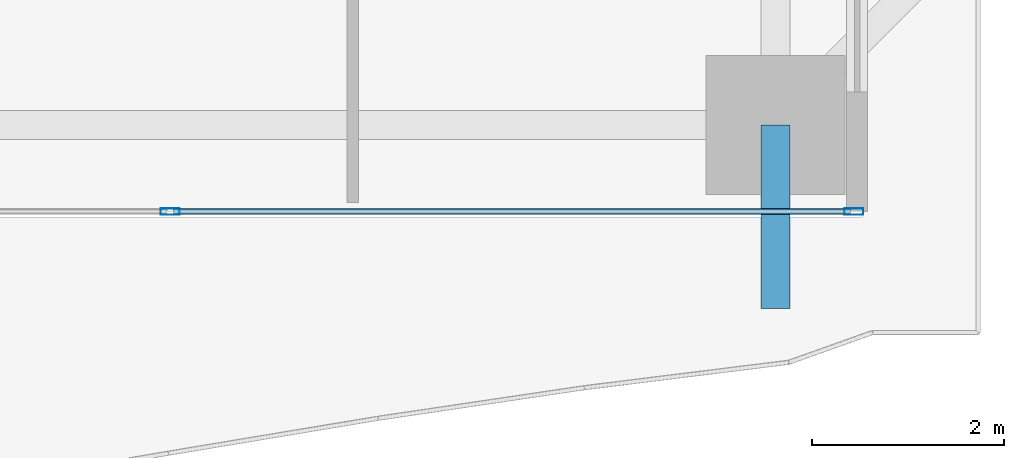
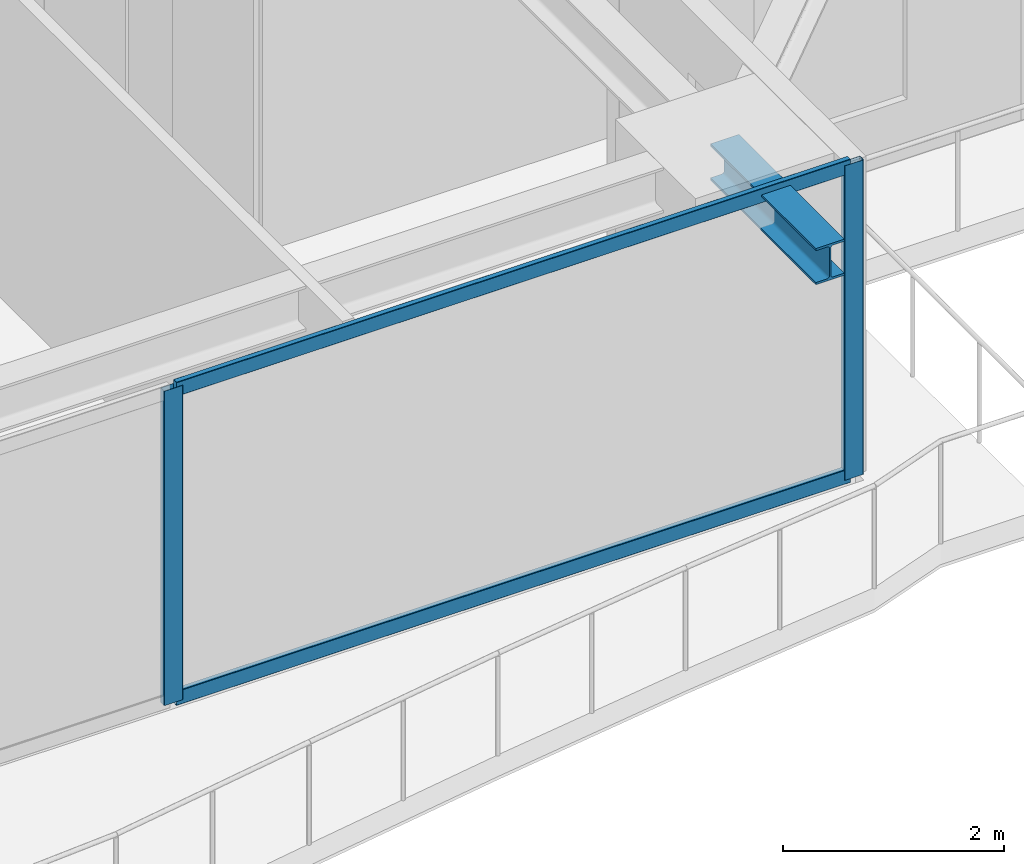
# One storey, part 11 of 39: 4 members, 1 beam, 1 element without a shape of its own.
"""IFC4 building model written with IfcOpenShell, lengths in metres."""

import ifcopenshell
import ifcopenshell.guid

model = None  # the IFC model being written
_history = None  # IfcOwnerHistory: only IFC2X3 demands one
_inside = {}  # id of a spatial element -> (the spatial element, [elements in it])
_under = {}  # id of a project, library or spatial element -> (it, [spatial elements below it])
_declared = {}  # id of a project -> (the project, [libraries it declares])
_typed = {}  # id of a type object -> (the type object, [elements of that type])
_made_of = {}  # id of a material, layer set ... -> (it, [elements and type objects made of it])


def new_model(schema):
    """Start an empty IFC model of exactly this schema.

    Asked for "IFC4X3", IfcOpenShell would pick the latest addendum, in which some entities
    have other attributes; the version numbers below select the first issue.
    IFC2X3 requires an IfcOwnerHistory on every rooted entity: one is made here for all.
    """
    global model, _history
    if schema == "IFC4X3":
        model = ifcopenshell.file(schema_version=(4, 3, 0, 0))
    else:
        model = ifcopenshell.file(schema=schema)
    _inside.clear()
    _under.clear()
    _declared.clear()
    _typed.clear()
    _made_of.clear()
    _history = None
    if model.schema == "IFC2X3":
        org = make("IfcOrganization", Name="unknown")
        user = make(
            "IfcPersonAndOrganization",
            ThePerson=make("IfcPerson", FamilyName="unknown"),
            TheOrganization=org,
        )
        app = make(
            "IfcApplication",
            ApplicationDeveloper=org,
            Version="unknown",
            ApplicationFullName="unknown",
            ApplicationIdentifier="unknown",
        )
        _history = make(
            "IfcOwnerHistory",
            OwningUser=user,
            OwningApplication=app,
            ChangeAction="ADDED",
            CreationDate=0,
        )
    return model


def make(cls, **values):
    """One entity of the class cls with the attributes given. An attribute that is None is left unset."""
    return model.create_entity(
        cls, **{name: value for name, value in values.items() if value is not None}
    )


def rooted(cls, **values):
    """An entity with a GlobalId (a new one), such as an element, a storey or a relation."""
    return make(cls, GlobalId=ifcopenshell.guid.new(), OwnerHistory=_history, **values)


def si_unit(unit_type, name, prefix=None):
    """IfcSIUnit, for example si_unit("LENGTHUNIT", "METRE", prefix="MILLI")."""
    return make("IfcSIUnit", UnitType=unit_type, Prefix=prefix, Name=name)


def assignment(units):
    """IfcUnitAssignment: the units of a project."""
    return None if units is None else make("IfcUnitAssignment", Units=units)


def point(xyz):
    """IfcCartesianPoint."""
    return None if xyz is None else make("IfcCartesianPoint", Coordinates=xyz)


def direction(xyz):
    """IfcDirection."""
    return None if xyz is None else make("IfcDirection", DirectionRatios=xyz)


def frame(location, z_axis=None, x_axis=None):
    """IfcAxis2Placement3D, a coordinate frame: its origin and axes. An axis left out is left unset."""
    return make(
        "IfcAxis2Placement3D",
        Location=point(location),
        Axis=direction(z_axis),
        RefDirection=direction(x_axis),
    )


def frame_2d(location, x_axis=None):
    """IfcAxis2Placement2D, a coordinate frame in the plane: its origin and x axis."""
    return make(
        "IfcAxis2Placement2D", Location=point(location), RefDirection=direction(x_axis)
    )


def origin():
    """The frame at (0, 0, 0) with its axes left unset."""
    return frame((0.0, 0.0, 0.0))


def origin_2d():
    """The frame at (0, 0) in the plane with its x axis left unset."""
    return frame_2d((0.0, 0.0))


def place(relative_to, where):
    """IfcLocalPlacement: puts the frame where relative to a parent placement (None: the world)."""
    return make(
        "IfcLocalPlacement", PlacementRelTo=relative_to, RelativePlacement=where
    )


def context(
    kind, dimensions, precision=None, world=None, true_north=None, identifier=None
):
    """IfcGeometricRepresentationContext, for example the 3D "Model" context."""
    return make(
        "IfcGeometricRepresentationContext",
        ContextIdentifier=identifier,
        ContextType=kind,
        CoordinateSpaceDimension=dimensions,
        Precision=precision,
        WorldCoordinateSystem=world,
        TrueNorth=true_north,
    )


def subcontext(parent, identifier, kind, view, scale=None):
    """IfcGeometricRepresentationSubContext, for example "Body" below "Model"."""
    return make(
        "IfcGeometricRepresentationSubContext",
        ContextIdentifier=identifier,
        ContextType=kind,
        ParentContext=parent,
        TargetScale=scale,
        TargetView=view,
    )


def project(units=None, contexts=None):
    """IfcProject with its units and contexts."""
    return rooted(
        "IfcProject",
        Name="project",
        RepresentationContexts=contexts,
        UnitsInContext=assignment(units),
    )


def spatial(cls, under=None, at=None, **own):
    """A site, building, storey or space (cls), placed at a placement, below another one or the project."""
    s = rooted(cls, ObjectPlacement=at, **own)
    if under is not None:
        _under.setdefault(under.id(), (under, []))[1].append(s)
    return s


def profile(cls, at=None, kind="AREA", **sizes):
    """A parametric profile (cls). Its sizes go by their IFC names, for example OverallWidth=200.0."""
    return make(cls, ProfileType=kind, Position=at, **sizes)


def hollow_rectangle(**sizes):
    """IfcRectangleHollowProfileDef."""
    return profile("IfcRectangleHollowProfileDef", **sizes)


def i_section(**sizes):
    """IfcIShapeProfileDef."""
    return profile("IfcIShapeProfileDef", **sizes)


def extrude(swept, where, along, depth):
    """IfcExtrudedAreaSolid: the profile swept, set in the frame where, extruded along a direction by depth."""
    return make(
        "IfcExtrudedAreaSolid",
        SweptArea=swept,
        Position=where,
        ExtrudedDirection=direction(along),
        Depth=depth,
    )


def shape(context_of_items, identifier, shape_type, items):
    """IfcShapeRepresentation: the items that make up one representation, for example the "Body"."""
    return make(
        "IfcShapeRepresentation",
        ContextOfItems=context_of_items,
        RepresentationIdentifier=identifier,
        RepresentationType=shape_type,
        Items=items,
    )


def source(mapping_origin, context_of_items, identifier, shape_type, items):
    """IfcRepresentationMap: a shape defined once, which mapped items show again and again."""
    return make(
        "IfcRepresentationMap",
        MappingOrigin=mapping_origin,
        MappedRepresentation=shape(context_of_items, identifier, shape_type, items),
    )


def transform(
    local_origin,
    x_axis=None,
    y_axis=None,
    z_axis=None,
    scale=None,
    scale2=None,
    scale3=None,
    uniform=True,
):
    """IfcCartesianTransformationOperator3D, or its non-uniform kind. x_axis, y_axis, z_axis: its Axis1, 2, 3."""
    if uniform:
        return make(
            "IfcCartesianTransformationOperator3D",
            Axis1=direction(x_axis),
            Axis2=direction(y_axis),
            LocalOrigin=point(local_origin),
            Scale=scale,
            Axis3=direction(z_axis),
        )
    return make(
        "IfcCartesianTransformationOperator3DnonUniform",
        Axis1=direction(x_axis),
        Axis2=direction(y_axis),
        LocalOrigin=point(local_origin),
        Scale=scale,
        Axis3=direction(z_axis),
        Scale2=scale2,
        Scale3=scale3,
    )


def mapped(mapping_source, mapping_target):
    """IfcMappedItem: shows the shape of a source again, moved by a transform."""
    return make(
        "IfcMappedItem", MappingSource=mapping_source, MappingTarget=mapping_target
    )


def material(Name=None, Category=None):
    """IfcMaterial."""
    return make("IfcMaterial", Name=Name, Category=Category)


def layer(
    of_material, thickness, ventilated=None, Name=None, Category=None, Priority=None
):
    """IfcMaterialLayer: one layer of a wall or slab, of a material (None: an air gap)."""
    return make(
        "IfcMaterialLayer",
        Material=of_material,
        LayerThickness=thickness,
        IsVentilated=ventilated,
        Name=Name,
        Category=Category,
        Priority=Priority,
    )


def layer_set(layers, Name=None):
    """IfcMaterialLayerSet."""
    return make("IfcMaterialLayerSet", MaterialLayers=layers, LayerSetName=Name)


def material_profile(
    of_material, cross_section, Name=None, Category=None, Priority=None
):
    """IfcMaterialProfile: a cross section and its material."""
    return make(
        "IfcMaterialProfile",
        Name=Name,
        Material=of_material,
        Profile=cross_section,
        Priority=Priority,
        Category=Category,
    )


def profile_set(profiles, Name=None, composite=None):
    """IfcMaterialProfileSet."""
    return make(
        "IfcMaterialProfileSet",
        Name=Name,
        MaterialProfiles=profiles,
        CompositeProfile=composite,
    )


def made_of(thing, what):
    """Note that an element or type object is made of a material, layer set ...; save() writes the relation."""
    if what is not None:
        _made_of.setdefault(what.id(), (what, []))[1].append(thing)
    return thing


def type_object(cls, material=None, **own):
    """A type object (cls), such as IfcWallType, which elements share."""
    return made_of(rooted(cls, **own), material)


def element(
    cls,
    number,
    at=None,
    inside=None,
    cuts=None,
    type_object=None,
    material=None,
    context=None,
    identifier="Body",
    shape_type=None,
    held_by="IfcProductDefinitionShape",
    body=None,
    shapes=None,
    **own,
):
    """One element of the class cls, such as IfcWall. Its Tag is "e" and its number.

    at: its placement. inside: the storey or other place that contains it. cuts: it is an
    opening in that element (IfcRelVoidsElement). A single representation is given by context,
    identifier, shape_type and body (its items); several are given by shapes. held_by: the class
    of the entity that holds the representations. save() writes the other relations.
    """
    e = rooted(cls, Tag="e%d" % number, ObjectPlacement=at, **own)
    if body is not None:
        shapes = [shape(context, identifier, shape_type, body)]
    if shapes is not None:
        e.Representation = make(held_by, Representations=shapes)
    if inside is not None:
        _inside.setdefault(inside.id(), (inside, []))[1].append(e)
    if cuts is not None:
        rooted(
            "IfcRelVoidsElement", RelatingBuildingElement=cuts, RelatedOpeningElement=e
        )
    if type_object is not None:
        _typed.setdefault(type_object.id(), (type_object, []))[1].append(e)
    return made_of(e, material)


def aggregate(whole, parts):
    """IfcRelAggregates: a whole, such as a stair, and the parts it consists of."""
    return rooted("IfcRelAggregates", RelatingObject=whole, RelatedObjects=parts)


def save(model, path):
    """Write the relations noted so far, then the file.

    IfcRelAggregates (storeys below a building ...), IfcRelContainedInSpatialStructure (elements
    in a storey), IfcRelDefinesByType, IfcRelAssociatesMaterial and IfcRelDeclares: one each for
    every whole, place, type object, material and project.
    """
    for whole, parts in _under.values():
        aggregate(whole, parts)
    for where, things in _inside.values():
        rooted(
            "IfcRelContainedInSpatialStructure",
            RelatedElements=things,
            RelatingStructure=where,
        )
    for kind, things in _typed.values():
        rooted("IfcRelDefinesByType", RelatedObjects=things, RelatingType=kind)
    for what, things in _made_of.values():
        rooted("IfcRelAssociatesMaterial", RelatedObjects=things, RelatingMaterial=what)
    for by, libraries in _declared.values():
        rooted("IfcRelDeclares", RelatingContext=by, RelatedDefinitions=libraries)
    model.write(path)


model = new_model("IFC4")

# Units and contexts
model_context = context("Model", 3, precision=1e-05, world=origin(), true_north=direction((0.0, 1.0)))
body_context = subcontext(model_context, "Body", "Model", "MODEL_VIEW")
ifc_project = project(units=[si_unit("LENGTHUNIT", "METRE"), si_unit("AREAUNIT", "SQUARE_METRE"), si_unit("VOLUMEUNIT", "CUBIC_METRE"), si_unit("PLANEANGLEUNIT", "RADIAN"), si_unit("MASSUNIT", "GRAM", prefix="KILO")], contexts=[model_context])

# Site, building, storey
site_placement = place(None, origin())
site = spatial("IfcSite", under=ifc_project, at=site_placement, CompositionType="ELEMENT")
building_placement = place(site_placement, origin())
building = spatial("IfcBuilding", under=site, at=building_placement, Name="Serunith Strait Residences", CompositionType="ELEMENT")
storey_placement = place(building_placement, frame((0.0, 0.0, 94.199951171875)))
storey = spatial("IfcBuildingStorey", under=building, at=storey_placement, Name="L23", CompositionType="ELEMENT", Elevation=94.199951171875)

# Beam
ifc_material_1 = material(Name="Steel S355J2", Category="steel")
ifc_material_profile_1 = material_profile(ifc_material_1, i_section(OverallWidth=0.300048828125, OverallDepth=0.39990234375, WebThickness=0.013427734375, FlangeThickness=0.02392578125, FilletRadius=0.027099609375, at=origin_2d()), Name="HEB 400")
ifc_profile_set_1 = profile_set([ifc_material_profile_1], Name="Steel S355J2")
beam_type = type_object("IfcBeamType", Name="BM-HEB400", PredefinedType="BEAM", material=ifc_profile_set_1)
shared_shape_1 = source(origin(), body_context, "Body", "SweptSolid", [
    extrude(i_section(OverallWidth=0.300048828125, OverallDepth=0.39990234375, WebThickness=0.013427734375, FlangeThickness=0.02392578125, FilletRadius=0.027099609375, at=origin_2d()), origin(), (0.0, 0.0, 1.0), 1.91015625),
])
beam_placement = place(storey_placement, frame((49.550048828125, 1.10009765625, 3.257080078125), z_axis=(0.0, -1.0, 0.0), x_axis=(1.0, 0.0, 0.0)))
element("IfcBeam", 1, at=beam_placement, inside=storey, type_object=beam_type, Name="L24 Cantilevered Balcony Rib TC-S4", PredefinedType="BEAM", context=body_context, shape_type="MappedRepresentation", body=[
    mapped(shared_shape_1, transform((0.0, 0.0, 0.0), scale=1.0)),
])

# Curtain wall, members
ifc_material_2 = material(Name="Pale-Champagne Anodised Aluminium", Category="aluminium")
ifc_layer = layer(ifc_material_2, 0.199951171875, Name="Pale-Champagne Anodised Aluminium")
ifc_layer_set = layer_set([ifc_layer], Name="Pale-Champagne Anodised Aluminium")
curtain_wall_type = type_object("IfcCurtainWallType", Name="CW-SYS1", PredefinedType="NOTDEFINED", material=ifc_layer_set)
curtain_wall_placement = place(storey_placement, origin())
curtain_wall = element("IfcCurtainWall", 2, at=curtain_wall_placement, inside=storey, type_object=curtain_wall_type, Name="L23 S Unitised Fritted Curtain Wall", PredefinedType="NOTDEFINED")
ifc_material_profile_2 = material_profile(ifc_material_2, hollow_rectangle(XDim=0.070068359375, YDim=0.199951171875, WallThickness=0.00390625, InnerFilletRadius=0.006103515625, OuterFilletRadius=0.010009765625, at=origin_2d()), Name="ALU 200x70x4")
ifc_profile_set_2 = profile_set([ifc_material_profile_2], Name="Pale-Champagne Anodised Aluminium")
member_type_1 = type_object("IfcMemberType", Name="CW-SYS1-MULL", PredefinedType="MULLION", material=ifc_profile_set_2)
shared_shape_2 = source(origin(), body_context, "Body", "SweptSolid", [
    extrude(hollow_rectangle(XDim=0.070068359375, YDim=0.199951171875, WallThickness=0.00390625, InnerFilletRadius=0.006103515625, OuterFilletRadius=0.010009765625, at=origin_2d()), origin(), (0.0, 0.0, 1.0), 3.47509765625),
])
member_1_placement = place(storey_placement, frame((43.25, 0.199951171875, 0.0), z_axis=(0.0, 0.0, 1.0), x_axis=(0.0, 1.0, 0.0)))
member_1 = element("IfcMember", 3, at=member_1_placement, type_object=member_type_1, Name="CW-1 mullion 2", PredefinedType="MULLION", context=body_context, shape_type="MappedRepresentation", body=[
    mapped(shared_shape_2, transform((0.0, 0.0, 0.0), scale=1.0)),
])
member_2_placement = place(storey_placement, frame((50.364990234375, 0.199951171875, 0.0), z_axis=(0.0, 0.0, 1.0), x_axis=(0.0, 1.0, 0.0)))
member_2 = element("IfcMember", 4, at=member_2_placement, type_object=member_type_1, Name="CW-1 mullion 3", PredefinedType="MULLION", context=body_context, shape_type="MappedRepresentation", body=[
    mapped(shared_shape_2, transform((0.0, 0.0, 0.0), scale=1.0)),
])
ifc_material_profile_3 = material_profile(ifc_material_2, hollow_rectangle(XDim=0.06005859375, YDim=0.159912109375, WallThickness=0.00341796875, InnerFilletRadius=0.00537109375, OuterFilletRadius=0.0087890625, at=origin_2d()), Name="ALU 160x60x3.5")
ifc_profile_set_3 = profile_set([ifc_material_profile_3], Name="Pale-Champagne Anodised Aluminium")
member_type_2 = type_object("IfcMemberType", Name="CW-SYS1-TRAN", PredefinedType="USERDEFINED", material=ifc_profile_set_3)
shared_shape_3 = source(origin(), body_context, "Body", "SweptSolid", [
    extrude(hollow_rectangle(XDim=0.06005859375, YDim=0.159912109375, WallThickness=0.00341796875, InnerFilletRadius=0.00537109375, OuterFilletRadius=0.0087890625, at=origin_2d()), origin(), (0.0, 0.0, 1.0), 7.045166015625),
])
member_3_placement = place(storey_placement, frame((43.284912109375, 0.199951171875, 0.030029296875), z_axis=(1.0, 0.0, 0.0), x_axis=(0.0, 1.0, 0.0)))
member_3 = element("IfcMember", 5, at=member_3_placement, type_object=member_type_2, Name="CW-1 transom 2.1", ObjectType="TRANSOM", PredefinedType="USERDEFINED", context=body_context, shape_type="MappedRepresentation", body=[
    mapped(shared_shape_3, transform((0.0, 0.0, 0.0), scale=1.0)),
])
member_4_placement = place(storey_placement, frame((43.284912109375, 0.199951171875, 3.445068359375), z_axis=(1.0, 0.0, 0.0), x_axis=(0.0, 1.0, 0.0)))
member_4 = element("IfcMember", 6, at=member_4_placement, type_object=member_type_2, Name="CW-1 transom 2.2", ObjectType="TRANSOM", PredefinedType="USERDEFINED", context=body_context, shape_type="MappedRepresentation", body=[
    mapped(shared_shape_3, transform((0.0, 0.0, 0.0), scale=1.0)),
])
aggregate(curtain_wall, [member_1, member_2, member_3, member_4])

save(model, "model.ifc")
